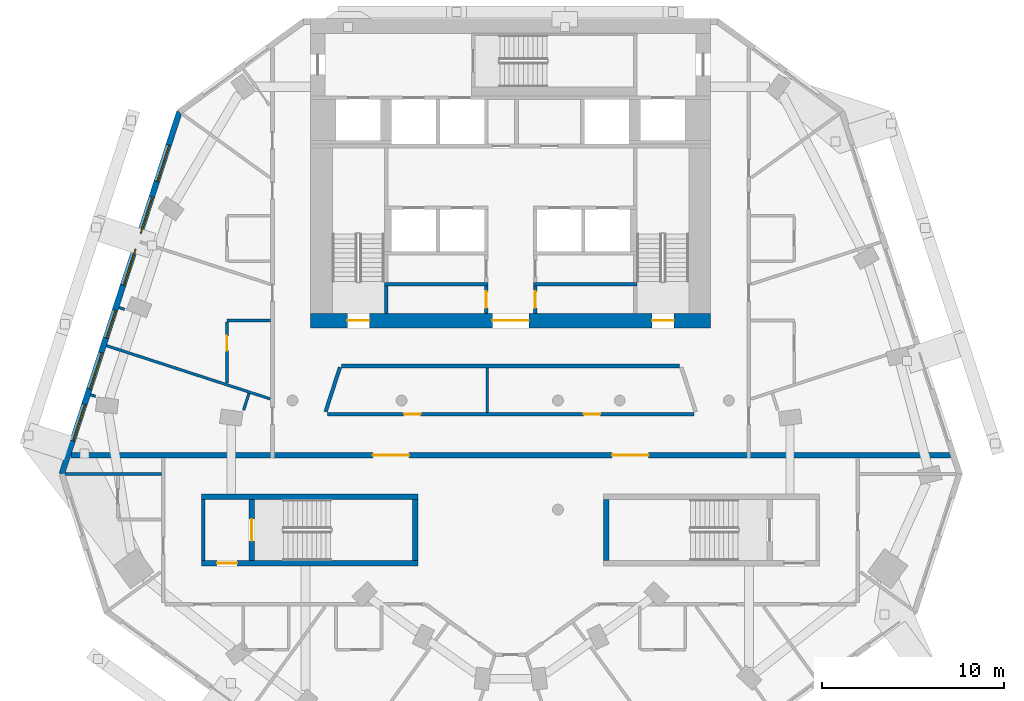
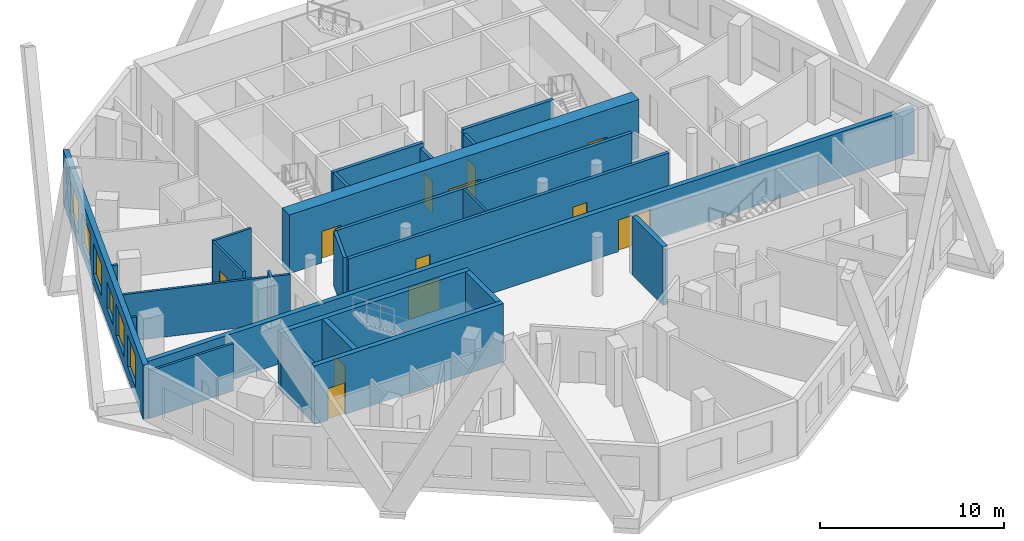
# One storey, part 4 of 10: 25 walls, 12 doors, 6 windows, 18 openings.
"""IFC4 building model written with IfcOpenShell, lengths in metres."""

from ifc_helpers import new_model, si_unit, direction, frame, frame_2d, origin, place, context, subcontext, project, spatial, rectangle, extrude, material, layer, layer_set, type_object, element, fill, save


model = new_model("IFC4")

# Units and contexts
model_context = context("Model", 3, precision=1e-05, world=origin(), true_north=direction((0.0, 1.0)))
body_context = subcontext(model_context, "Body", "Model", "MODEL_VIEW")
ifc_project = project(units=[si_unit("LENGTHUNIT", "METRE"), si_unit("AREAUNIT", "SQUARE_METRE"), si_unit("VOLUMEUNIT", "CUBIC_METRE"), si_unit("PLANEANGLEUNIT", "RADIAN"), si_unit("MASSUNIT", "GRAM", prefix="KILO")], contexts=[model_context])

# Site, building, storey
site_placement = place(None, origin())
site = spatial("IfcSite", under=ifc_project, at=site_placement, CompositionType="ELEMENT")
building_placement = place(site_placement, origin())
building = spatial("IfcBuilding", under=site, at=building_placement, Name="White Candle Pilgrim Tower", CompositionType="ELEMENT")
storey_placement = place(building_placement, frame((0.0, 0.0, 208.199951171875)))
storey = spatial("IfcBuildingStorey", under=building, at=storey_placement, Name="L48", CompositionType="ELEMENT", Elevation=208.199951171875)

# Walls
ifc_material_1 = material(Name="Concrete C50/60", Category="concrete")
ifc_layer_1 = layer(ifc_material_1, 0.199951171875)
ifc_layer_set_1 = layer_set([ifc_layer_1], Name="Core wall 200 mm Concrete C50/60")
wall_type_1 = type_object("IfcWallType", Name="Core wall 200 mm Concrete C50/60", PredefinedType="SHEAR", material=ifc_layer_set_1)
wall_1_placement = place(storey_placement, frame((53.10009765625, 58.199951171875, 0.0), z_axis=(0.0, 0.0, 1.0), x_axis=(0.0, 1.0, 0.0)))
element("IfcWall", 1, at=wall_1_placement, inside=storey, type_object=wall_type_1, Name="WL-L48-C03", PredefinedType="SHEAR", context=body_context, shape_type="SweptSolid", body=[
    extrude(rectangle(XDim=3.35009765625, YDim=0.199951171875, at=frame_2d((1.675048828125, 0.0))), origin(), (0.0, 0.0, 1.0), 3.900146484375),
])
ifc_material_2 = material(Name="Gypsum board on steel studs", Category="steel")
ifc_layer_2 = layer(ifc_material_2, 0.199951171875)
ifc_layer_set_2 = layer_set([ifc_layer_2], Name="Corridor wall 200 mm EI 45")
wall_type_2 = type_object("IfcWallType", Name="Corridor wall 200 mm EI 45", PredefinedType="PARTITIONING", material=ifc_layer_set_2)
wall_2_placement = place(storey_placement, frame((60.614501953125, 68.830810546875, 0.0), z_axis=(0.0, 0.0, 1.0), x_axis=(-0.309053927645, -0.951044515155, 0.0)))
element("IfcWall", 2, at=wall_2_placement, inside=storey, type_object=wall_type_2, Name="WL-L48-P011", PredefinedType="PARTITIONING", context=body_context, shape_type="SweptSolid", body=[
    extrude(rectangle(XDim=2.576171875, YDim=0.199951171875, at=frame_2d((1.2880859375, 0.0))), origin(), (0.0, 0.0, 1.0), 3.60009765625),
])

# Wall, openings, doors
wall_3_placement = place(storey_placement, frame((59.91357421875, 66.25, 0.0), z_axis=(0.0, 0.0, 1.0), x_axis=(1.0, 0.0, 0.0)))
wall_3 = element("IfcWall", 3, at=wall_3_placement, inside=storey, type_object=wall_type_2, Name="WL-L48-P012", PredefinedType="PARTITIONING", context=body_context, shape_type="SweptSolid", body=[
    extrude(rectangle(XDim=20.1728515625, YDim=0.199951171875, at=frame_2d((10.08642578125, 0.0))), origin(), (0.0, 0.0, 1.0), 3.60009765625),
])
opening_1_placement = place(wall_3_placement, frame((4.232421875, 0.0, 0.0)))
opening_1 = element("IfcOpeningElement", 4, at=opening_1_placement, cuts=wall_3, Name="Opening T15-121", PredefinedType="OPENING", context=body_context, shape_type="SweptSolid", body=[
    extrude(rectangle(XDim=0.89990234375, YDim=2.10009765625, at=frame_2d((0.449951171875, 1.050048828125))), frame((0.0, 0.10986328125, 0.0), z_axis=(0.0, -1.0, 0.0), x_axis=(1.0, 0.0, 0.0)), (0.0, 0.0, 1.0), 0.219970703125),
])
opening_2_placement = place(wall_3_placement, frame((14.1064453125, 0.0, 0.0)))
opening_2 = element("IfcOpeningElement", 5, at=opening_2_placement, cuts=wall_3, Name="Opening T15-122", PredefinedType="OPENING", context=body_context, shape_type="SweptSolid", body=[
    extrude(rectangle(XDim=0.89990234375, YDim=2.10009765625, at=frame_2d((0.449951171875, 1.050048828125))), frame((0.0, 0.10986328125, 0.0), z_axis=(0.0, -1.0, 0.0), x_axis=(1.0, 0.0, 0.0)), (0.0, 0.0, 1.0), 0.219970703125),
])
ifc_material_3 = material(Name="Steel door leaf", Category="steel")
door_type_1 = type_object("IfcDoorType", Name="Fire door 900 x 2100 EI 30", OperationType="NOTDEFINED", PredefinedType="DOOR", material=ifc_material_3)
door_1_placement = place(opening_1_placement, origin())
door_1 = element("IfcDoor", 6, at=door_1_placement, inside=storey, type_object=door_type_1, Name="Door T15-121", OperationType="SINGLE_SWING_RIGHT", OverallHeight=2.10009765625, OverallWidth=0.89990234375, PredefinedType="DOOR", context=body_context, shape_type="SweptSolid", body=[
    extrude(rectangle(XDim=0.89990234375, YDim=2.10009765625, at=frame_2d((0.449951171875, 1.050048828125))), frame((0.0, 0.02490234375, 0.0), z_axis=(0.0, -1.0, 0.0), x_axis=(1.0, 0.0, 0.0)), (0.0, 0.0, 1.0), 0.050048828125),
])
fill(opening_1, door_1)
door_2_placement = place(opening_2_placement, origin())
door_2 = element("IfcDoor", 7, at=door_2_placement, inside=storey, type_object=door_type_1, Name="Door T15-122", OperationType="SINGLE_SWING_RIGHT", OverallHeight=2.10009765625, OverallWidth=0.89990234375, PredefinedType="DOOR", context=body_context, shape_type="SweptSolid", body=[
    extrude(rectangle(XDim=0.89990234375, YDim=2.10009765625, at=frame_2d((0.449951171875, 1.050048828125))), frame((0.0, 0.02490234375, 0.0), z_axis=(0.0, -1.0, 0.0), x_axis=(1.0, 0.0, 0.0)), (0.0, 0.0, 1.0), 0.050048828125),
])
fill(opening_2, door_2)

# Wall
wall_4_placement = place(storey_placement, frame((79.290283203125, 68.89990234375, 0.0), z_axis=(0.0, 0.0, 1.0), x_axis=(-1.0, 0.0, 0.0)))
element("IfcWall", 8, at=wall_4_placement, inside=storey, type_object=wall_type_2, Name="WL-L48-P014", PredefinedType="PARTITIONING", context=body_context, shape_type="SweptSolid", body=[
    extrude(rectangle(XDim=18.58056640625, YDim=0.199951171875, at=frame_2d((9.290283203125, 0.0))), origin(), (0.0, 0.0, 1.0), 3.60009765625),
])

# Wall, openings, windows
ifc_material_4 = material(Name="Precast concrete C40/50", Category="concrete")
ifc_layer_3 = layer(ifc_material_4, 0.320068359375)
ifc_layer_set_3 = layer_set([ifc_layer_3], Name="Facade wall EW1 precast concrete C40/50 pier wall with timber-lined reveals")
wall_type_3 = type_object("IfcWallType", Name="Facade wall EW1 precast concrete C40/50 pier wall with timber-lined reveals", PredefinedType="SOLIDWALL", material=ifc_layer_set_3)
wall_5_placement = place(storey_placement, frame((51.7822265625, 82.875732421875, 0.0), z_axis=(0.0, 0.0, 1.0), x_axis=(-0.309019363855, -0.951055746401, 0.0)))
wall_5 = element("IfcWall", 9, at=wall_5_placement, inside=storey, type_object=wall_type_3, Name="Facade wall L48 WNW", PredefinedType="SOLIDWALL", context=body_context, shape_type="SweptSolid", body=[
    extrude(rectangle(XDim=20.93701171875, YDim=0.320068359375, at=frame_2d((10.468505859375, 0.0))), origin(), (0.0, 0.0, 1.0), 3.60009765625),
])
opening_3_placement = place(wall_5_placement, frame((1.918701171875, 0.0, 0.75)))
opening_3 = element("IfcOpeningElement", 10, at=opening_3_placement, cuts=wall_5, Name="Opening W3", PredefinedType="OPENING", context=body_context, shape_type="SweptSolid", body=[
    extrude(rectangle(XDim=2.10009765625, YDim=2.10009765625, at=frame_2d((1.050048828125, 1.050048828125))), frame((0.0, 0.169921875, 0.0), z_axis=(0.0, -1.0, 0.0), x_axis=(1.0, 0.0, 0.0)), (0.0, 0.0, 1.0), 0.340087890625),
])
opening_4_placement = place(wall_5_placement, frame((4.918701171875, 0.0, 0.75)))
opening_4 = element("IfcOpeningElement", 11, at=opening_4_placement, cuts=wall_5, Name="Opening W3", PredefinedType="OPENING", context=body_context, shape_type="SweptSolid", body=[
    extrude(rectangle(XDim=2.10009765625, YDim=2.10009765625, at=frame_2d((1.050048828125, 1.050048828125))), frame((0.0, 0.169921875, 0.0), z_axis=(0.0, -1.0, 0.0), x_axis=(1.0, 0.0, 0.0)), (0.0, 0.0, 1.0), 0.340087890625),
])
opening_5_placement = place(wall_5_placement, frame((7.918701171875, 0.0, 0.75)))
opening_5 = element("IfcOpeningElement", 12, at=opening_5_placement, cuts=wall_5, Name="Opening W3", PredefinedType="OPENING", context=body_context, shape_type="SweptSolid", body=[
    extrude(rectangle(XDim=2.10009765625, YDim=2.10009765625, at=frame_2d((1.050048828125, 1.050048828125))), frame((0.0, 0.169921875, 0.0), z_axis=(0.0, -1.0, 0.0), x_axis=(1.0, 0.0, 0.0)), (0.0, 0.0, 1.0), 0.340087890625),
])
opening_6_placement = place(wall_5_placement, frame((11.468505859375, 0.0, 0.89990234375)))
opening_6 = element("IfcOpeningElement", 13, at=opening_6_placement, cuts=wall_5, Name="Opening W2", PredefinedType="OPENING", context=body_context, shape_type="SweptSolid", body=[
    extrude(rectangle(XDim=1.60009765625, YDim=1.800048828125, at=frame_2d((0.800048828125, 0.89990234375))), frame((0.0, 0.169921875, 0.0), z_axis=(0.0, -1.0, 0.0), x_axis=(1.0, 0.0, 0.0)), (0.0, 0.0, 1.0), 0.340087890625),
])
opening_7_placement = place(wall_5_placement, frame((13.918701171875, 0.0, 0.75)))
opening_7 = element("IfcOpeningElement", 14, at=opening_7_placement, cuts=wall_5, Name="Opening W3", PredefinedType="OPENING", context=body_context, shape_type="SweptSolid", body=[
    extrude(rectangle(XDim=2.10009765625, YDim=2.10009765625, at=frame_2d((1.050048828125, 1.050048828125))), frame((0.0, 0.169921875, 0.0), z_axis=(0.0, -1.0, 0.0), x_axis=(1.0, 0.0, 0.0)), (0.0, 0.0, 1.0), 0.340087890625),
])
opening_8_placement = place(wall_5_placement, frame((16.918701171875, 0.0, 0.75)))
opening_8 = element("IfcOpeningElement", 15, at=opening_8_placement, cuts=wall_5, Name="Opening W3", PredefinedType="OPENING", context=body_context, shape_type="SweptSolid", body=[
    extrude(rectangle(XDim=2.10009765625, YDim=2.10009765625, at=frame_2d((1.050048828125, 1.050048828125))), frame((0.0, 0.169921875, 0.0), z_axis=(0.0, -1.0, 0.0), x_axis=(1.0, 0.0, 0.0)), (0.0, 0.0, 1.0), 0.340087890625),
])
ifc_material_5 = material(Name="Timber frame with triple glazing", Category="wood")
window_type_1 = type_object("IfcWindowType", Name="Window W2 1600x1800 timber frame triple glazing", PartitioningType="SINGLE_PANEL", PredefinedType="WINDOW", material=ifc_material_5)
window_1_placement = place(opening_6_placement, origin())
window_1 = element("IfcWindow", 16, at=window_1_placement, inside=storey, type_object=window_type_1, Name="Window W2 L48 WNW 4", OverallHeight=1.800048828125, OverallWidth=1.60009765625, PartitioningType="SINGLE_PANEL", PredefinedType="WINDOW", context=body_context, shape_type="SweptSolid", body=[
    extrude(rectangle(XDim=1.60009765625, YDim=1.800048828125, at=frame_2d((0.800048828125, 0.89990234375))), frame((0.0, 0.070068359375, 0.0), z_axis=(0.0, -1.0, 0.0), x_axis=(1.0, 0.0, 0.0)), (0.0, 0.0, 1.0), 0.06005859375),
])
fill(opening_6, window_1)
window_type_2 = type_object("IfcWindowType", Name="Window W3 2100x2100 timber frame triple glazing", PartitioningType="SINGLE_PANEL", PredefinedType="WINDOW", material=ifc_material_5)
window_2_placement = place(opening_3_placement, origin())
window_2 = element("IfcWindow", 17, at=window_2_placement, inside=storey, type_object=window_type_2, Name="Window W3 L48 WNW 1", OverallHeight=2.10009765625, OverallWidth=2.10009765625, PartitioningType="SINGLE_PANEL", PredefinedType="WINDOW", context=body_context, shape_type="SweptSolid", body=[
    extrude(rectangle(XDim=2.10009765625, YDim=2.10009765625, at=frame_2d((1.050048828125, 1.050048828125))), frame((0.0, 0.070068359375, 0.0), z_axis=(0.0, -1.0, 0.0), x_axis=(1.0, 0.0, 0.0)), (0.0, 0.0, 1.0), 0.06005859375),
])
fill(opening_3, window_2)
window_3_placement = place(opening_4_placement, origin())
window_3 = element("IfcWindow", 18, at=window_3_placement, inside=storey, type_object=window_type_2, Name="Window W3 L48 WNW 2", OverallHeight=2.10009765625, OverallWidth=2.10009765625, PartitioningType="SINGLE_PANEL", PredefinedType="WINDOW", context=body_context, shape_type="SweptSolid", body=[
    extrude(rectangle(XDim=2.10009765625, YDim=2.10009765625, at=frame_2d((1.050048828125, 1.050048828125))), frame((0.0, 0.070068359375, 0.0), z_axis=(0.0, -1.0, 0.0), x_axis=(1.0, 0.0, 0.0)), (0.0, 0.0, 1.0), 0.06005859375),
])
fill(opening_4, window_3)
window_4_placement = place(opening_5_placement, origin())
window_4 = element("IfcWindow", 19, at=window_4_placement, inside=storey, type_object=window_type_2, Name="Window W3 L48 WNW 3", OverallHeight=2.10009765625, OverallWidth=2.10009765625, PartitioningType="SINGLE_PANEL", PredefinedType="WINDOW", context=body_context, shape_type="SweptSolid", body=[
    extrude(rectangle(XDim=2.10009765625, YDim=2.10009765625, at=frame_2d((1.050048828125, 1.050048828125))), frame((0.0, 0.070068359375, 0.0), z_axis=(0.0, -1.0, 0.0), x_axis=(1.0, 0.0, 0.0)), (0.0, 0.0, 1.0), 0.06005859375),
])
fill(opening_5, window_4)
window_5_placement = place(opening_7_placement, origin())
window_5 = element("IfcWindow", 20, at=window_5_placement, inside=storey, type_object=window_type_2, Name="Window W3 L48 WNW 5", OverallHeight=2.10009765625, OverallWidth=2.10009765625, PartitioningType="SINGLE_PANEL", PredefinedType="WINDOW", context=body_context, shape_type="SweptSolid", body=[
    extrude(rectangle(XDim=2.10009765625, YDim=2.10009765625, at=frame_2d((1.050048828125, 1.050048828125))), frame((0.0, 0.070068359375, 0.0), z_axis=(0.0, -1.0, 0.0), x_axis=(1.0, 0.0, 0.0)), (0.0, 0.0, 1.0), 0.06005859375),
])
fill(opening_7, window_5)
window_6_placement = place(opening_8_placement, origin())
window_6 = element("IfcWindow", 21, at=window_6_placement, inside=storey, type_object=window_type_2, Name="Window W3 L48 WNW 6", OverallHeight=2.10009765625, OverallWidth=2.10009765625, PartitioningType="SINGLE_PANEL", PredefinedType="WINDOW", context=body_context, shape_type="SweptSolid", body=[
    extrude(rectangle(XDim=2.10009765625, YDim=2.10009765625, at=frame_2d((1.050048828125, 1.050048828125))), frame((0.0, 0.070068359375, 0.0), z_axis=(0.0, -1.0, 0.0), x_axis=(1.0, 0.0, 0.0)), (0.0, 0.0, 1.0), 0.06005859375),
])
fill(opening_8, window_6)

# Wall, openings, doors
ifc_material_6 = material(Name="Aerated concrete block", Category="concrete")
ifc_layer_4 = layer(ifc_material_6, 0.300048828125)
ifc_layer_set_4 = layer_set([ifc_layer_4], Name="Fire wall 300 mm REI 240")
wall_type_4 = type_object("IfcWallType", Name="Fire wall 300 mm REI 240", PredefinedType="PARTITIONING", material=ifc_layer_set_4)
wall_6_placement = place(storey_placement, frame((45.8173828125, 64.0, 0.0), z_axis=(0.0, 0.0, 1.0), x_axis=(1.0, 0.0, 0.0)))
wall_6 = element("IfcWall", 22, at=wall_6_placement, inside=storey, type_object=wall_type_4, Name="WL-L48-P001", PredefinedType="PARTITIONING", context=body_context, shape_type="SweptSolid", body=[
    extrude(rectangle(XDim=48.365234375, YDim=0.300048828125, at=frame_2d((24.1826171875, 0.0))), origin(), (0.0, 0.0, 1.0), 3.050048828125),
])
opening_9_placement = place(wall_6_placement, frame((16.60107421875, 0.0, 0.0)))
opening_9 = element("IfcOpeningElement", 23, at=opening_9_placement, cuts=wall_6, Name="Opening T15-119", PredefinedType="OPENING", context=body_context, shape_type="SweptSolid", body=[
    extrude(rectangle(XDim=2.0, YDim=2.10009765625, at=frame_2d((1.0, 1.050048828125))), frame((0.0, 0.159912109375, 0.0), z_axis=(0.0, -1.0, 0.0), x_axis=(1.0, 0.0, 0.0)), (0.0, 0.0, 1.0), 0.320068359375),
])
opening_10_placement = place(wall_6_placement, frame((29.76416015625, 0.0, 0.0)))
opening_10 = element("IfcOpeningElement", 24, at=opening_10_placement, cuts=wall_6, Name="Opening T15-120", PredefinedType="OPENING", context=body_context, shape_type="SweptSolid", body=[
    extrude(rectangle(XDim=2.0, YDim=2.10009765625, at=frame_2d((1.0, 1.050048828125))), frame((0.0, 0.159912109375, 0.0), z_axis=(0.0, -1.0, 0.0), x_axis=(1.0, 0.0, 0.0)), (0.0, 0.0, 1.0), 0.320068359375),
])
door_type_2 = type_object("IfcDoorType", Name="Fire door 2000 x 2100 EI 60", OperationType="NOTDEFINED", PredefinedType="DOOR", material=ifc_material_3)
door_3_placement = place(opening_9_placement, origin())
door_3 = element("IfcDoor", 25, at=door_3_placement, inside=storey, type_object=door_type_2, Name="Door T15-119", OperationType="DOUBLE_DOOR_SINGLE_SWING", OverallHeight=2.10009765625, OverallWidth=2.0, PredefinedType="DOOR", context=body_context, shape_type="SweptSolid", body=[
    extrude(rectangle(XDim=2.0, YDim=2.10009765625, at=frame_2d((1.0, 1.050048828125))), frame((0.0, 0.02490234375, 0.0), z_axis=(0.0, -1.0, 0.0), x_axis=(1.0, 0.0, 0.0)), (0.0, 0.0, 1.0), 0.050048828125),
])
fill(opening_9, door_3)
door_4_placement = place(opening_10_placement, origin())
door_4 = element("IfcDoor", 26, at=door_4_placement, inside=storey, type_object=door_type_2, Name="Door T15-120", OperationType="DOUBLE_DOOR_SINGLE_SWING", OverallHeight=2.10009765625, OverallWidth=2.0, PredefinedType="DOOR", context=body_context, shape_type="SweptSolid", body=[
    extrude(rectangle(XDim=2.0, YDim=2.10009765625, at=frame_2d((1.0, 1.050048828125))), frame((0.0, 0.02490234375, 0.0), z_axis=(0.0, -1.0, 0.0), x_axis=(1.0, 0.0, 0.0)), (0.0, 0.0, 1.0), 0.050048828125),
])
fill(opening_10, door_4)

# Wall, opening, door
ifc_layer_5 = layer(ifc_material_2, 0.199951171875)
ifc_layer_set_5 = layer_set([ifc_layer_5], Name="Lobby wall 200 mm EI 60")
wall_type_5 = type_object("IfcWallType", Name="Lobby wall 200 mm EI 60", PredefinedType="PARTITIONING", material=ifc_layer_set_5)
wall_7_placement = place(storey_placement, frame((68.64990234375, 71.800048828125, 0.0), z_axis=(0.0, 0.0, 1.0), x_axis=(0.0, 1.0, 0.0)))
wall_7 = element("IfcWall", 27, at=wall_7_placement, inside=storey, type_object=wall_type_5, Name="WL-L48-C14", PredefinedType="PARTITIONING", context=body_context, shape_type="SweptSolid", body=[
    extrude(rectangle(XDim=1.5, YDim=0.199951171875, at=frame_2d((0.75, 0.0))), origin(), (0.0, 0.0, 1.0), 3.60009765625),
])
opening_11_placement = place(wall_7_placement, frame((0.300048828125, 0.0, 0.0)))
opening_11 = element("IfcOpeningElement", 28, at=opening_11_placement, cuts=wall_7, Name="Opening T15-005", PredefinedType="OPENING", context=body_context, shape_type="SweptSolid", body=[
    extrude(rectangle(XDim=0.89990234375, YDim=2.10009765625, at=frame_2d((0.449951171875, 1.050048828125))), frame((0.0, 0.10986328125, 0.0), z_axis=(0.0, -1.0, 0.0), x_axis=(1.0, 0.0, 0.0)), (0.0, 0.0, 1.0), 0.219970703125),
])
door_5_placement = place(opening_11_placement, origin())
door_5 = element("IfcDoor", 29, at=door_5_placement, inside=storey, type_object=door_type_1, Name="Door T15-005", OperationType="SINGLE_SWING_LEFT", OverallHeight=2.10009765625, OverallWidth=0.89990234375, PredefinedType="DOOR", context=body_context, shape_type="SweptSolid", body=[
    extrude(rectangle(XDim=0.89990234375, YDim=2.10009765625, at=frame_2d((0.449951171875, 1.050048828125))), frame((0.0, 0.02490234375, 0.0), z_axis=(0.0, -1.0, 0.0), x_axis=(1.0, 0.0, 0.0)), (0.0, 0.0, 1.0), 0.050048828125),
])
fill(opening_11, door_5)

wall_8_placement = place(storey_placement, frame((71.35009765625, 71.800048828125, 0.0), z_axis=(0.0, 0.0, 1.0), x_axis=(0.0, 1.0, 0.0)))
wall_8 = element("IfcWall", 30, at=wall_8_placement, inside=storey, type_object=wall_type_5, Name="WL-L48-C15", PredefinedType="PARTITIONING", context=body_context, shape_type="SweptSolid", body=[
    extrude(rectangle(XDim=1.5, YDim=0.199951171875, at=frame_2d((0.75, 0.0))), origin(), (0.0, 0.0, 1.0), 3.60009765625),
])
opening_12_placement = place(wall_8_placement, frame((0.300048828125, 0.0, 0.0)))
opening_12 = element("IfcOpeningElement", 31, at=opening_12_placement, cuts=wall_8, Name="Opening T15-007", PredefinedType="OPENING", context=body_context, shape_type="SweptSolid", body=[
    extrude(rectangle(XDim=0.89990234375, YDim=2.10009765625, at=frame_2d((0.449951171875, 1.050048828125))), frame((0.0, 0.10986328125, 0.0), z_axis=(0.0, -1.0, 0.0), x_axis=(1.0, 0.0, 0.0)), (0.0, 0.0, 1.0), 0.219970703125),
])
door_6_placement = place(opening_12_placement, origin())
door_6 = element("IfcDoor", 32, at=door_6_placement, inside=storey, type_object=door_type_1, Name="Door T15-007", OperationType="SINGLE_SWING_LEFT", OverallHeight=2.10009765625, OverallWidth=0.89990234375, PredefinedType="DOOR", context=body_context, shape_type="SweptSolid", body=[
    extrude(rectangle(XDim=0.89990234375, YDim=2.10009765625, at=frame_2d((0.449951171875, 1.050048828125))), frame((0.0, 0.02490234375, 0.0), z_axis=(0.0, -1.0, 0.0), x_axis=(1.0, 0.0, 0.0)), (0.0, 0.0, 1.0), 0.050048828125),
])
fill(opening_12, door_6)

# Walls
ifc_layer_6 = layer(ifc_material_2, 0.14990234375)
ifc_layer_set_6 = layer_set([ifc_layer_6], Name="Partition 150 mm EI 60")
wall_type_6 = type_object("IfcWallType", Name="Partition 150 mm EI 60", PredefinedType="PARTITIONING", material=ifc_layer_set_6)
wall_9_placement = place(storey_placement, frame((45.480712890625, 62.96337890625, 0.0), z_axis=(0.0, 0.0, 1.0), x_axis=(1.0, 0.0, 0.0)))
element("IfcWall", 33, at=wall_9_placement, inside=storey, type_object=wall_type_6, Name="WL-L48-P016", PredefinedType="PARTITIONING", context=body_context, shape_type="SweptSolid", body=[
    extrude(rectangle(XDim=5.3193359375, YDim=0.14990234375, at=frame_2d((2.65966796875, 0.0))), origin(), (0.0, 0.0, 1.0), 3.150146484375),
])
wall_10_placement = place(storey_placement, frame((47.7724609375, 70.016845703125, 0.0), z_axis=(0.0, 0.0, 1.0), x_axis=(0.951061731956, -0.309000941761, 0.0)))
element("IfcWall", 34, at=wall_10_placement, inside=storey, type_object=wall_type_6, Name="WL-L48-P025", PredefinedType="PARTITIONING", context=body_context, shape_type="SweptSolid", body=[
    extrude(rectangle(XDim=9.4677734375, YDim=0.14990234375, at=frame_2d((4.73388671875, 0.0))), origin(), (0.0, 0.0, 1.0), 3.150146484375),
])
wall_11_placement = place(storey_placement, frame((56.800048828125, 71.39990234375, 0.0), z_axis=(0.0, 0.0, 1.0), x_axis=(-1.0, 0.0, 0.0)))
element("IfcWall", 35, at=wall_11_placement, inside=storey, type_object=wall_type_6, Name="WL-L48-P029", PredefinedType="PARTITIONING", context=body_context, shape_type="SweptSolid", body=[
    extrude(rectangle(XDim=2.400146484375, YDim=0.14990234375, at=frame_2d((1.2001953125, 0.0))), origin(), (0.0, 0.0, 1.0), 3.60009765625),
])

# Wall, opening, door
wall_12_placement = place(storey_placement, frame((54.39990234375, 67.966796875, 0.0), z_axis=(0.0, 0.0, 1.0), x_axis=(0.0, 1.0, 0.0)))
wall_12 = element("IfcWall", 36, at=wall_12_placement, inside=storey, type_object=wall_type_6, Name="WL-L48-P030", PredefinedType="PARTITIONING", context=body_context, shape_type="SweptSolid", body=[
    extrude(rectangle(XDim=3.358154296875, YDim=0.14990234375, at=frame_2d((1.67919921875, 0.0))), origin(), (0.0, 0.0, 1.0), 3.60009765625),
])
opening_13_placement = place(wall_12_placement, frame((1.783203125, 0.0, 0.0)))
opening_13 = element("IfcOpeningElement", 37, at=opening_13_placement, cuts=wall_12, Name="Opening T15-102", PredefinedType="OPENING", context=body_context, shape_type="SweptSolid", body=[
    extrude(rectangle(XDim=0.800048828125, YDim=2.10009765625, at=frame_2d((0.39990234375, 1.050048828125))), frame((0.0, 0.0849609375, 0.0), z_axis=(0.0, -1.0, 0.0), x_axis=(1.0, 0.0, 0.0)), (0.0, 0.0, 1.0), 0.169921875),
])
door_type_3 = type_object("IfcDoorType", Name="Fire door 800 x 2100 EI 30", OperationType="NOTDEFINED", PredefinedType="DOOR", material=ifc_material_3)
door_7_placement = place(opening_13_placement, origin())
door_7 = element("IfcDoor", 38, at=door_7_placement, inside=storey, type_object=door_type_3, Name="Door T15-102", OperationType="SINGLE_SWING_RIGHT", OverallHeight=2.10009765625, OverallWidth=0.800048828125, PredefinedType="DOOR", context=body_context, shape_type="SweptSolid", body=[
    extrude(rectangle(XDim=0.800048828125, YDim=2.10009765625, at=frame_2d((0.39990234375, 1.050048828125))), frame((0.0, 0.02490234375, 0.0), z_axis=(0.0, -1.0, 0.0), x_axis=(1.0, 0.0, 0.0)), (0.0, 0.0, 1.0), 0.050048828125),
])
fill(opening_13, door_7)

# Walls
wall_13_placement = place(storey_placement, frame((68.715576171875, 66.35009765625, 0.0), z_axis=(0.0, 0.0, 1.0), x_axis=(0.0, 1.0, 0.0)))
element("IfcWall", 39, at=wall_13_placement, inside=storey, type_object=wall_type_6, Name="WL-L48-P054", PredefinedType="PARTITIONING", context=body_context, shape_type="SweptSolid", body=[
    extrude(rectangle(XDim=2.449951171875, YDim=0.14990234375, at=frame_2d((1.22509765625, 0.0))), origin(), (0.0, 0.0, 1.0), 3.60009765625),
])
wall_14_placement = place(storey_placement, frame((48.768310546875, 72.015869140625, 0.0), z_axis=(0.0, 0.0, 1.0), x_axis=(-0.951028621269, 0.309102833257, 0.0)))
element("IfcWall", 40, at=wall_14_placement, inside=storey, type_object=wall_type_6, Name="WL-L48-P057", PredefinedType="PARTITIONING", context=body_context, shape_type="SweptSolid", body=[
    extrude(rectangle(XDim=0.329345703125, YDim=0.14990234375, at=frame_2d((0.16455078125, 0.0))), origin(), (0.0, 0.0, 1.0), 3.60009765625),
])
wall_15_placement = place(storey_placement, frame((47.167724609375, 67.228271484375, 0.0), z_axis=(0.0, 0.0, 1.0), x_axis=(-0.951040325466, 0.309066820183, 0.0)))
element("IfcWall", 41, at=wall_15_placement, inside=storey, type_object=wall_type_6, Name="WL-L48-P058", PredefinedType="PARTITIONING", context=body_context, shape_type="SweptSolid", body=[
    extrude(rectangle(XDim=0.286865234375, YDim=0.14990234375, at=frame_2d((0.1435546875, 0.0))), origin(), (0.0, 0.0, 1.0), 3.60009765625),
])
wall_16_placement = place(storey_placement, frame((55.306640625, 66.462158203125, 0.0), z_axis=(0.0, 0.0, 1.0), x_axis=(0.308950530708, 0.951078109082, 0.0)))
element("IfcWall", 42, at=wall_16_placement, inside=storey, type_object=wall_type_6, Name="WL-L48-P060", PredefinedType="PARTITIONING", context=body_context, shape_type="SweptSolid", body=[
    extrude(rectangle(XDim=0.9775390625, YDim=0.14990234375, at=frame_2d((0.48876953125, 0.0))), origin(), (0.0, 0.0, 1.0), 3.60009765625),
])
ifc_layer_7 = layer(ifc_material_1, 0.199951171875)
ifc_layer_set_7 = layer_set([ifc_layer_7], Name="Stair shaft wall 200 mm Concrete C50/60")
wall_type_7 = type_object("IfcWallType", Name="Stair shaft wall 200 mm Concrete C50/60", PredefinedType="SHEAR", material=ifc_layer_set_7)
wall_17_placement = place(storey_placement, frame((63.14990234375, 71.800048828125, 0.0), z_axis=(0.0, 0.0, 1.0), x_axis=(0.0, 1.0, 0.0)))
element("IfcWall", 43, at=wall_17_placement, inside=storey, type_object=wall_type_7, Name="WL-L48-C13", PredefinedType="SHEAR", context=body_context, shape_type="SweptSolid", body=[
    extrude(rectangle(XDim=1.5, YDim=0.199951171875, at=frame_2d((0.75, 0.0))), origin(), (0.0, 0.0, 1.0), 3.900146484375),
])
for number, where, z_axis, x_axis, name in (
    (44, (63.050048828125, 73.39990234375, 0.0), (0.0, 0.0, 1.0), (1.0, 0.0, 0.0), "WL-L48-C18"),
    (45, (71.25, 73.39990234375, 0.0), (0.0, 0.0, 1.0), (1.0, 0.0, 0.0), "WL-L48-C19"),
):
    element("IfcWall", number, at=place(storey_placement, frame(where, z_axis=z_axis, x_axis=x_axis)), inside=storey, type_object=wall_type_7, Name=name, PredefinedType="SHEAR", context=body_context, shape_type="SweptSolid", body=[
        extrude(rectangle(XDim=5.699951171875, YDim=0.199951171875, at=frame_2d((2.85009765625, 0.0))), origin(), (0.0, 0.0, 1.0), 3.900146484375),
    ])

# Wall, opening, door
ifc_layer_8 = layer(ifc_material_1, 0.300048828125)
ifc_layer_set_8 = layer_set([ifc_layer_8], Name="Stair shaft wall 300 mm Concrete C50/60")
wall_type_8 = type_object("IfcWallType", Name="Stair shaft wall 300 mm Concrete C50/60", PredefinedType="SHEAR", material=ifc_layer_set_8)
wall_18_placement = place(storey_placement, frame((53.0, 58.050048828125, 0.0), z_axis=(0.0, 0.0, 1.0), x_axis=(1.0, 0.0, 0.0)))
wall_18 = element("IfcWall", 46, at=wall_18_placement, inside=storey, type_object=wall_type_8, Name="WL-L48-C01", PredefinedType="SHEAR", context=body_context, shape_type="SweptSolid", body=[
    extrude(rectangle(XDim=11.89990234375, YDim=0.300048828125, at=frame_2d((5.949951171875, 0.0))), origin(), (0.0, 0.0, 1.0), 3.900146484375),
])
opening_14_placement = place(wall_18_placement, frame((0.85009765625, 0.0, 0.0)))
opening_14 = element("IfcOpeningElement", 47, at=opening_14_placement, cuts=wall_18, Name="Opening T15-011", PredefinedType="OPENING", context=body_context, shape_type="SweptSolid", body=[
    extrude(rectangle(XDim=1.10009765625, YDim=2.10009765625, at=frame_2d((0.550048828125, 1.050048828125))), frame((0.0, 0.159912109375, 0.0), z_axis=(0.0, -1.0, 0.0), x_axis=(1.0, 0.0, 0.0)), (0.0, 0.0, 1.0), 0.320068359375),
])
door_type_4 = type_object("IfcDoorType", Name="Fire door 1100 x 2100 EI 60", OperationType="NOTDEFINED", PredefinedType="DOOR", material=ifc_material_3)
door_8_placement = place(opening_14_placement, origin())
door_8 = element("IfcDoor", 48, at=door_8_placement, inside=storey, type_object=door_type_4, Name="Door T15-011", OperationType="SINGLE_SWING_LEFT", OverallHeight=2.10009765625, OverallWidth=1.10009765625, PredefinedType="DOOR", context=body_context, shape_type="SweptSolid", body=[
    extrude(rectangle(XDim=1.10009765625, YDim=2.10009765625, at=frame_2d((0.550048828125, 1.050048828125))), frame((0.0, 0.02490234375, 0.0), z_axis=(0.0, -1.0, 0.0), x_axis=(1.0, 0.0, 0.0)), (0.0, 0.0, 1.0), 0.050048828125),
])
fill(opening_14, door_8)

wall_19_placement = place(storey_placement, frame((55.75, 58.199951171875, 0.0), z_axis=(0.0, 0.0, 1.0), x_axis=(0.0, 1.0, 0.0)))
wall_19 = element("IfcWall", 49, at=wall_19_placement, inside=storey, type_object=wall_type_8, Name="WL-L48-C04", PredefinedType="SHEAR", context=body_context, shape_type="SweptSolid", body=[
    extrude(rectangle(XDim=3.35009765625, YDim=0.300048828125, at=frame_2d((1.675048828125, 0.0))), origin(), (0.0, 0.0, 1.0), 3.900146484375),
])
opening_15_placement = place(wall_19_placement, frame((1.074951171875, 0.0, 0.0)))
opening_15 = element("IfcOpeningElement", 50, at=opening_15_placement, cuts=wall_19, Name="Opening T15-012", PredefinedType="OPENING", context=body_context, shape_type="SweptSolid", body=[
    extrude(rectangle(XDim=1.199951171875, YDim=2.10009765625, at=frame_2d((0.60009765625, 1.050048828125))), frame((0.0, 0.159912109375, 0.0), z_axis=(0.0, -1.0, 0.0), x_axis=(1.0, 0.0, 0.0)), (0.0, 0.0, 1.0), 0.320068359375),
])
door_type_5 = type_object("IfcDoorType", Name="Fire door 1200 x 2100 EI 60", OperationType="NOTDEFINED", PredefinedType="DOOR", material=ifc_material_3)
door_9_placement = place(opening_15_placement, frame((1.199951171875, 0.0, 0.0), z_axis=(0.0, 0.0, 1.0), x_axis=(-1.0, 0.0, 0.0)))
door_9 = element("IfcDoor", 51, at=door_9_placement, inside=storey, type_object=door_type_5, Name="Door T15-012", OperationType="SINGLE_SWING_LEFT", OverallHeight=2.10009765625, OverallWidth=1.199951171875, PredefinedType="DOOR", context=body_context, shape_type="SweptSolid", body=[
    extrude(rectangle(XDim=1.199951171875, YDim=2.10009765625, at=frame_2d((0.60009765625, 1.050048828125))), frame((0.0, 0.02490234375, 0.0), z_axis=(0.0, -1.0, 0.0), x_axis=(1.0, 0.0, 0.0)), (0.0, 0.0, 1.0), 0.050048828125),
])
fill(opening_15, door_9)

# Walls
for number, where, z_axis, x_axis, name in (
    (52, (64.75, 58.199951171875, 0.0), (0.0, 0.0, 1.0), (0.0, 1.0, 0.0), "WL-L48-C05"),
    (53, (75.25, 58.199951171875, 0.0), (0.0, 0.0, 1.0), (0.0, 1.0, 0.0), "WL-L48-C06"),
):
    element("IfcWall", number, at=place(storey_placement, frame(where, z_axis=z_axis, x_axis=x_axis)), inside=storey, type_object=wall_type_8, Name=name, PredefinedType="SHEAR", context=body_context, shape_type="SweptSolid", body=[
        extrude(rectangle(XDim=3.35009765625, YDim=0.300048828125, at=frame_2d((1.675048828125, 0.0))), origin(), (0.0, 0.0, 1.0), 3.900146484375),
    ])
wall_20_placement = place(storey_placement, frame((53.0, 61.699951171875, 0.0), z_axis=(0.0, 0.0, 1.0), x_axis=(1.0, 0.0, 0.0)))
element("IfcWall", 54, at=wall_20_placement, inside=storey, type_object=wall_type_8, Name="WL-L48-C09", PredefinedType="SHEAR", context=body_context, shape_type="SweptSolid", body=[
    extrude(rectangle(XDim=11.89990234375, YDim=0.300048828125, at=frame_2d((5.949951171875, 0.0))), origin(), (0.0, 0.0, 1.0), 3.900146484375),
])

# Wall, openings, doors
ifc_layer_9 = layer(ifc_material_1, 0.800048828125)
ifc_layer_set_9 = layer_set([ifc_layer_9], Name="Stair shaft wall 800 mm Concrete C50/60")
wall_type_9 = type_object("IfcWallType", Name="Stair shaft wall 800 mm Concrete C50/60", PredefinedType="SHEAR", material=ifc_layer_set_9)
wall_21_placement = place(storey_placement, frame((59.0, 71.39990234375, 0.0), z_axis=(0.0, 0.0, 1.0), x_axis=(1.0, 0.0, 0.0)))
wall_21 = element("IfcWall", 55, at=wall_21_placement, inside=storey, type_object=wall_type_9, Name="WL-L48-C11", PredefinedType="SHEAR", context=body_context, shape_type="SweptSolid", body=[
    extrude(rectangle(XDim=22.0, YDim=0.800048828125, at=frame_2d((11.0, 0.0))), origin(), (0.0, 0.0, 1.0), 3.900146484375),
])
opening_16_placement = place(wall_21_placement, frame((2.02490234375, 0.0, 0.0)))
opening_16 = element("IfcOpeningElement", 56, at=opening_16_placement, cuts=wall_21, Name="Opening T15-001", PredefinedType="OPENING", context=body_context, shape_type="SweptSolid", body=[
    extrude(rectangle(XDim=1.199951171875, YDim=2.10009765625, at=frame_2d((0.60009765625, 1.050048828125))), frame((0.0, 0.409912109375, 0.0), z_axis=(0.0, -1.0, 0.0), x_axis=(1.0, 0.0, 0.0)), (0.0, 0.0, 1.0), 0.820068359375),
])
opening_17_placement = place(wall_21_placement, frame((18.77490234375, 0.0, 0.0)))
opening_17 = element("IfcOpeningElement", 57, at=opening_17_placement, cuts=wall_21, Name="Opening T15-002", PredefinedType="OPENING", context=body_context, shape_type="SweptSolid", body=[
    extrude(rectangle(XDim=1.199951171875, YDim=2.10009765625, at=frame_2d((0.60009765625, 1.050048828125))), frame((0.0, 0.409912109375, 0.0), z_axis=(0.0, -1.0, 0.0), x_axis=(1.0, 0.0, 0.0)), (0.0, 0.0, 1.0), 0.820068359375),
])
opening_18_placement = place(wall_21_placement, frame((10.0, 0.0, 0.0)))
opening_18 = element("IfcOpeningElement", 58, at=opening_18_placement, cuts=wall_21, Name="Opening T15-004", PredefinedType="OPENING", context=body_context, shape_type="SweptSolid", body=[
    extrude(rectangle(XDim=2.0, YDim=2.10009765625, at=frame_2d((1.0, 1.050048828125))), frame((0.0, 0.409912109375, 0.0), z_axis=(0.0, -1.0, 0.0), x_axis=(1.0, 0.0, 0.0)), (0.0, 0.0, 1.0), 0.820068359375),
])
door_10_placement = place(opening_16_placement, frame((1.199951171875, 0.0, 0.0), z_axis=(0.0, 0.0, 1.0), x_axis=(-1.0, 0.0, 0.0)))
door_10 = element("IfcDoor", 59, at=door_10_placement, inside=storey, type_object=door_type_5, Name="Door T15-001", OperationType="SINGLE_SWING_RIGHT", OverallHeight=2.10009765625, OverallWidth=1.199951171875, PredefinedType="DOOR", context=body_context, shape_type="SweptSolid", body=[
    extrude(rectangle(XDim=1.199951171875, YDim=2.10009765625, at=frame_2d((0.60009765625, 1.050048828125))), frame((0.0, 0.02490234375, 0.0), z_axis=(0.0, -1.0, 0.0), x_axis=(1.0, 0.0, 0.0)), (0.0, 0.0, 1.0), 0.050048828125),
])
fill(opening_16, door_10)
door_11_placement = place(opening_17_placement, frame((1.199951171875, 0.0, 0.0), z_axis=(0.0, 0.0, 1.0), x_axis=(-1.0, 0.0, 0.0)))
door_11 = element("IfcDoor", 60, at=door_11_placement, inside=storey, type_object=door_type_5, Name="Door T15-002", OperationType="SINGLE_SWING_LEFT", OverallHeight=2.10009765625, OverallWidth=1.199951171875, PredefinedType="DOOR", context=body_context, shape_type="SweptSolid", body=[
    extrude(rectangle(XDim=1.199951171875, YDim=2.10009765625, at=frame_2d((0.60009765625, 1.050048828125))), frame((0.0, 0.02490234375, 0.0), z_axis=(0.0, -1.0, 0.0), x_axis=(1.0, 0.0, 0.0)), (0.0, 0.0, 1.0), 0.050048828125),
])
fill(opening_17, door_11)
door_12_placement = place(opening_18_placement, frame((2.0, 0.0, 0.0), z_axis=(0.0, 0.0, 1.0), x_axis=(-1.0, 0.0, 0.0)))
door_12 = element("IfcDoor", 61, at=door_12_placement, inside=storey, type_object=door_type_2, Name="Door T15-004", OperationType="DOUBLE_DOOR_SINGLE_SWING", OverallHeight=2.10009765625, OverallWidth=2.0, PredefinedType="DOOR", context=body_context, shape_type="SweptSolid", body=[
    extrude(rectangle(XDim=2.0, YDim=2.10009765625, at=frame_2d((1.0, 1.050048828125))), frame((0.0, 0.02490234375, 0.0), z_axis=(0.0, -1.0, 0.0), x_axis=(1.0, 0.0, 0.0)), (0.0, 0.0, 1.0), 0.050048828125),
])
fill(opening_18, door_12)

save(model, "model.ifc")
